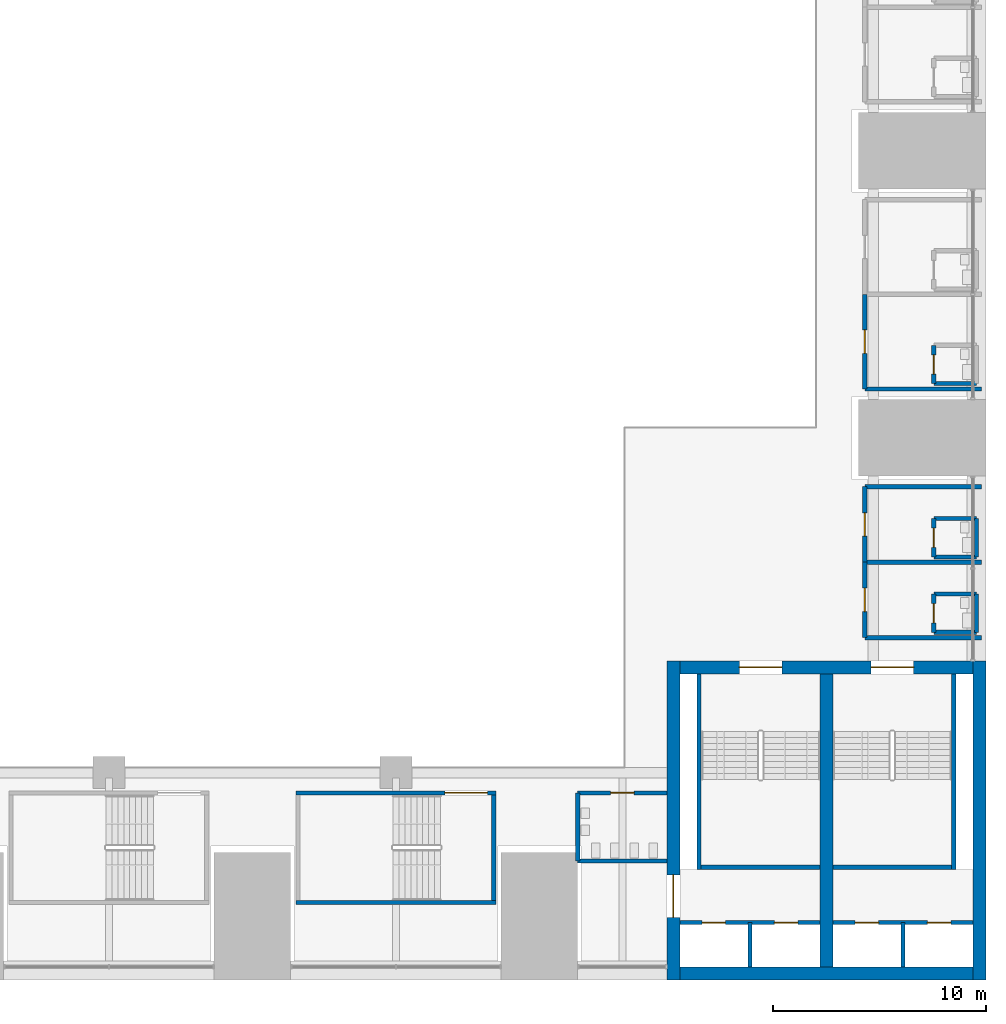
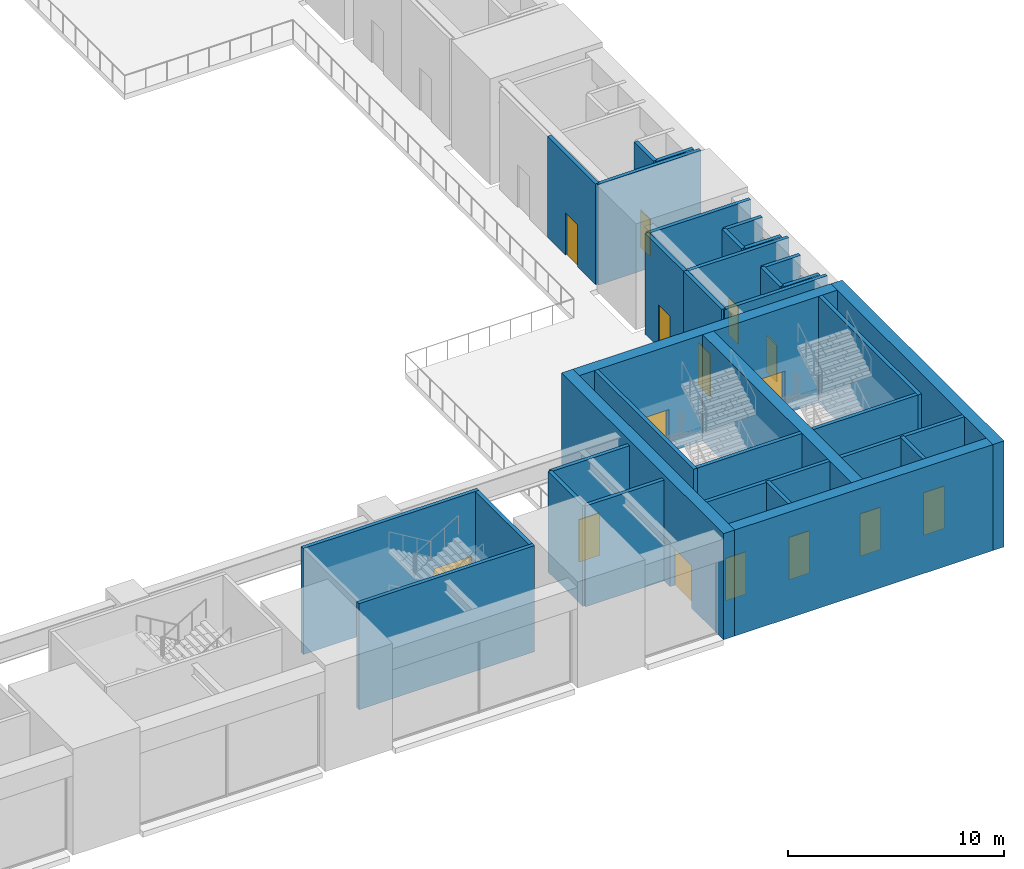
# One storey, part 16 of 43: 36 walls, 15 doors, 15 openings.
"""IFC4 building model written with IfcOpenShell, lengths in metres."""

from ifc_helpers import new_model, si_unit, direction, frame, frame_2d, origin, place, context, subcontext, project, spatial, rectangle, extrude, material, layer, layer_set, type_object, element, fill, save


model = new_model("IFC4")

# Units and contexts
model_context = context("Model", 3, precision=1e-05, world=origin(), true_north=direction((0.0, 1.0)))
body_context = subcontext(model_context, "Body", "Model", "MODEL_VIEW")
ifc_project = project(units=[si_unit("LENGTHUNIT", "METRE"), si_unit("AREAUNIT", "SQUARE_METRE"), si_unit("VOLUMEUNIT", "CUBIC_METRE"), si_unit("PLANEANGLEUNIT", "RADIAN"), si_unit("MASSUNIT", "GRAM", prefix="KILO")], contexts=[model_context])

# Site, building, storey
site_placement = place(None, origin())
site = spatial("IfcSite", under=ifc_project, at=site_placement, CompositionType="ELEMENT")
building_placement = place(site_placement, origin())
building = spatial("IfcBuilding", under=site, at=building_placement, Name="Corbelhall Arena Tower", CompositionType="ELEMENT")
storey_placement = place(building_placement, frame((0.0, 0.0, 25.0)))
storey = spatial("IfcBuildingStorey", under=building, at=storey_placement, Name="L03", CompositionType="ELEMENT", Elevation=25.0)

# Wall, opening, door
ifc_material_1 = material(Name="Gypsum board on steel studs", Category="steel")
ifc_layer_1 = layer(ifc_material_1, 0.199951171875)
ifc_layer_set_1 = layer_set([ifc_layer_1], Name="AR-ROOM-WALL")
wall_type_1 = type_object("IfcWallType", Name="AR-ROOM-WALL", PredefinedType="PARTITIONING", material=ifc_layer_set_1)
wall_1_placement = place(storey_placement, frame((42.300048828125, -11.199951171875, 0.0), z_axis=(0.0, 0.0, 1.0), x_axis=(0.0, 1.0, 0.0)))
wall_1 = element("IfcWall", 1, at=wall_1_placement, inside=storey, type_object=wall_type_1, Name="Suite seating 0303 wall", PredefinedType="PARTITIONING", context=body_context, shape_type="SweptSolid", body=[
    extrude(rectangle(XDim=4.449951171875, YDim=0.199951171875, at=frame_2d((2.22509765625, 0.0))), origin(), (0.0, 0.0, 1.0), 5.699951171875),
])
opening_1_placement = place(wall_1_placement, frame((1.675048828125, 0.0, 0.0)))
opening_1 = element("IfcOpeningElement", 2, at=opening_1_placement, cuts=wall_1, Name="Opening DA0387", PredefinedType="OPENING", context=body_context, shape_type="SweptSolid", body=[
    extrude(rectangle(XDim=1.10009765625, YDim=2.39990234375, at=frame_2d((0.550048828125, 1.199951171875))), frame((0.0, 0.10009765625, 0.0), z_axis=(0.0, -1.0, 0.0), x_axis=(1.0, 0.0, 0.0)), (0.0, 0.0, 1.0), 0.199951171875),
])
ifc_material_2 = material(Name="Timber", Category="wood")
door_type_1 = type_object("IfcDoorType", Name="AR-ROOM-DOOR", OperationType="DOUBLE_DOOR_SINGLE_SWING", PredefinedType="DOOR", material=ifc_material_2)
door_1_placement = place(opening_1_placement, origin())
door_1 = element("IfcDoor", 3, at=door_1_placement, inside=storey, type_object=door_type_1, Name="Suite seating 0303 door", OperationType="DOUBLE_DOOR_SINGLE_SWING", OverallHeight=2.39990234375, OverallWidth=1.10009765625, PredefinedType="DOOR", context=body_context, shape_type="SweptSolid", body=[
    extrude(rectangle(XDim=1.10009765625, YDim=2.39990234375, at=frame_2d((0.550048828125, 1.199951171875))), frame((0.0, 0.02490234375, 0.0), z_axis=(0.0, -1.0, 0.0), x_axis=(1.0, 0.0, 0.0)), (0.0, 0.0, 1.0), 0.050048828125),
])
fill(opening_1, door_1)

# Walls
wall_2_placement = place(storey_placement, frame((42.300048828125, -11.199951171875, 0.0), z_axis=(0.0, 0.0, 1.0), x_axis=(1.0, 0.0, 0.0)))
element("IfcWall", 4, at=wall_2_placement, inside=storey, type_object=wall_type_1, Name="Suite seating 0303 end wall", PredefinedType="PARTITIONING", context=body_context, shape_type="SweptSolid", body=[
    extrude(rectangle(XDim=5.5, YDim=0.199951171875, at=frame_2d((2.75, 0.0))), origin(), (0.0, 0.0, 1.0), 5.699951171875),
])
wall_3_placement = place(storey_placement, frame((45.550048828125, -10.949951171875, 0.0), z_axis=(0.0, 0.0, 1.0), x_axis=(1.0, 0.0, 0.0)))
element("IfcWall", 5, at=wall_3_placement, inside=storey, type_object=wall_type_1, Name="Suite WC 0303 wall", PredefinedType="PARTITIONING", context=body_context, shape_type="SweptSolid", body=[
    extrude(rectangle(XDim=2.0, YDim=0.199951171875, at=frame_2d((1.0, 0.0))), origin(), (0.0, 0.0, 1.0), 5.699951171875),
])

# Wall, opening, door
wall_4_placement = place(storey_placement, frame((45.550048828125, -10.949951171875, 0.0), z_axis=(0.0, 0.0, 1.0), x_axis=(0.0, 1.0, 0.0)))
wall_4 = element("IfcWall", 6, at=wall_4_placement, inside=storey, type_object=wall_type_1, Name="Suite WC 0303 wall", PredefinedType="PARTITIONING", context=body_context, shape_type="SweptSolid", body=[
    extrude(rectangle(XDim=1.800048828125, YDim=0.199951171875, at=frame_2d((0.89990234375, 0.0))), origin(), (0.0, 0.0, 1.0), 5.699951171875),
])
opening_2_placement = place(wall_4_placement, frame((0.449951171875, 0.0, 0.0)))
opening_2 = element("IfcOpeningElement", 7, at=opening_2_placement, cuts=wall_4, Name="Opening DA0388", PredefinedType="OPENING", context=body_context, shape_type="SweptSolid", body=[
    extrude(rectangle(XDim=0.89990234375, YDim=2.10009765625, at=frame_2d((0.449951171875, 1.050048828125))), frame((0.0, 0.10009765625, 0.0), z_axis=(0.0, -1.0, 0.0), x_axis=(1.0, 0.0, 0.0)), (0.0, 0.0, 1.0), 0.199951171875),
])
door_type_2 = type_object("IfcDoorType", Name="AR-CELL-DOOR", OperationType="SINGLE_SWING_LEFT", PredefinedType="DOOR", material=ifc_material_2)
door_2_placement = place(opening_2_placement, origin())
door_2 = element("IfcDoor", 8, at=door_2_placement, inside=storey, type_object=door_type_2, Name="Suite WC 0303 door", OperationType="SINGLE_SWING_LEFT", OverallHeight=2.10009765625, OverallWidth=0.89990234375, PredefinedType="DOOR", context=body_context, shape_type="SweptSolid", body=[
    extrude(rectangle(XDim=0.89990234375, YDim=2.10009765625, at=frame_2d((0.449951171875, 1.050048828125))), frame((0.0, 0.02490234375, 0.0), z_axis=(0.0, -1.0, 0.0), x_axis=(1.0, 0.0, 0.0)), (0.0, 0.0, 1.0), 0.050048828125),
])
fill(opening_2, door_2)

wall_5_placement = place(storey_placement, frame((42.300048828125, -22.89990234375, 0.0), z_axis=(0.0, 0.0, 1.0), x_axis=(0.0, 1.0, 0.0)))
wall_5 = element("IfcWall", 9, at=wall_5_placement, inside=storey, type_object=wall_type_1, Name="Suite seating 0307 wall", PredefinedType="PARTITIONING", context=body_context, shape_type="SweptSolid", body=[
    extrude(rectangle(XDim=3.5498046875, YDim=0.199951171875, at=frame_2d((1.77490234375, 0.0))), origin(), (0.0, 0.0, 1.0), 5.699951171875),
])
opening_3_placement = place(wall_5_placement, frame((1.22509765625, 0.0, 0.0)))
opening_3 = element("IfcOpeningElement", 10, at=opening_3_placement, cuts=wall_5, Name="Opening DA0395", PredefinedType="OPENING", context=body_context, shape_type="SweptSolid", body=[
    extrude(rectangle(XDim=1.10009765625, YDim=2.39990234375, at=frame_2d((0.550048828125, 1.199951171875))), frame((0.0, 0.10009765625, 0.0), z_axis=(0.0, -1.0, 0.0), x_axis=(1.0, 0.0, 0.0)), (0.0, 0.0, 1.0), 0.199951171875),
])
door_3_placement = place(opening_3_placement, origin())
door_3 = element("IfcDoor", 11, at=door_3_placement, inside=storey, type_object=door_type_1, Name="Suite seating 0307 door", OperationType="DOUBLE_DOOR_SINGLE_SWING", OverallHeight=2.39990234375, OverallWidth=1.10009765625, PredefinedType="DOOR", context=body_context, shape_type="SweptSolid", body=[
    extrude(rectangle(XDim=1.10009765625, YDim=2.39990234375, at=frame_2d((0.550048828125, 1.199951171875))), frame((0.0, 0.02490234375, 0.0), z_axis=(0.0, -1.0, 0.0), x_axis=(1.0, 0.0, 0.0)), (0.0, 0.0, 1.0), 0.050048828125),
])
fill(opening_3, door_3)

# Walls
for number, where, z_axis, x_axis, name in (
    (12, (42.300048828125, -22.89990234375, 0.0), (0.0, 0.0, 1.0), (1.0, 0.0, 0.0), "Suite seating 0307 end wall"),
    (13, (42.300048828125, -19.35009765625, 0.0), (0.0, 0.0, 1.0), (1.0, 0.0, 0.0), "Suite seating 0307 partition"),
):
    element("IfcWall", number, at=place(storey_placement, frame(where, z_axis=z_axis, x_axis=x_axis)), inside=storey, type_object=wall_type_1, Name=name, PredefinedType="PARTITIONING", context=body_context, shape_type="SweptSolid", body=[
        extrude(rectangle(XDim=5.5, YDim=0.199951171875, at=frame_2d((2.75, 0.0))), origin(), (0.0, 0.0, 1.0), 5.699951171875),
    ])
for number, where, z_axis, x_axis, name in (
    (14, (45.550048828125, -22.64990234375, 0.0), (0.0, 0.0, 1.0), (1.0, 0.0, 0.0), "Suite WC 0307 wall"),
    (15, (47.550048828125, -20.85009765625, 0.0), (0.0, 0.0, 1.0), (-1.0, 0.0, 0.0), "Suite WC 0307 wall"),
):
    element("IfcWall", number, at=place(storey_placement, frame(where, z_axis=z_axis, x_axis=x_axis)), inside=storey, type_object=wall_type_1, Name=name, PredefinedType="PARTITIONING", context=body_context, shape_type="SweptSolid", body=[
        extrude(rectangle(XDim=2.0, YDim=0.199951171875, at=frame_2d((1.0, 0.0))), origin(), (0.0, 0.0, 1.0), 5.699951171875),
    ])

# Wall, opening, door
wall_6_placement = place(storey_placement, frame((45.550048828125, -22.64990234375, 0.0), z_axis=(0.0, 0.0, 1.0), x_axis=(0.0, 1.0, 0.0)))
wall_6 = element("IfcWall", 16, at=wall_6_placement, inside=storey, type_object=wall_type_1, Name="Suite WC 0307 wall", PredefinedType="PARTITIONING", context=body_context, shape_type="SweptSolid", body=[
    extrude(rectangle(XDim=1.7998046875, YDim=0.199951171875, at=frame_2d((0.89990234375, 0.0))), origin(), (0.0, 0.0, 1.0), 5.699951171875),
])
opening_4_placement = place(wall_6_placement, frame((0.449951171875, 0.0, 0.0)))
opening_4 = element("IfcOpeningElement", 17, at=opening_4_placement, cuts=wall_6, Name="Opening DA0396", PredefinedType="OPENING", context=body_context, shape_type="SweptSolid", body=[
    extrude(rectangle(XDim=0.89990234375, YDim=2.10009765625, at=frame_2d((0.449951171875, 1.050048828125))), frame((0.0, 0.10009765625, 0.0), z_axis=(0.0, -1.0, 0.0), x_axis=(1.0, 0.0, 0.0)), (0.0, 0.0, 1.0), 0.199951171875),
])
door_4_placement = place(opening_4_placement, origin())
door_4 = element("IfcDoor", 18, at=door_4_placement, inside=storey, type_object=door_type_2, Name="Suite WC 0307 door", OperationType="SINGLE_SWING_LEFT", OverallHeight=2.10009765625, OverallWidth=0.89990234375, PredefinedType="DOOR", context=body_context, shape_type="SweptSolid", body=[
    extrude(rectangle(XDim=0.89990234375, YDim=2.10009765625, at=frame_2d((0.449951171875, 1.050048828125))), frame((0.0, 0.02490234375, 0.0), z_axis=(0.0, -1.0, 0.0), x_axis=(1.0, 0.0, 0.0)), (0.0, 0.0, 1.0), 0.050048828125),
])
fill(opening_4, door_4)

wall_7_placement = place(storey_placement, frame((42.300048828125, -19.35009765625, 0.0), z_axis=(0.0, 0.0, 1.0), x_axis=(0.0, 1.0, 0.0)))
wall_7 = element("IfcWall", 19, at=wall_7_placement, inside=storey, type_object=wall_type_1, Name="Suite seating 0308 wall", PredefinedType="PARTITIONING", context=body_context, shape_type="SweptSolid", body=[
    extrude(rectangle(XDim=3.550048828125, YDim=0.199951171875, at=frame_2d((1.77490234375, 0.0))), origin(), (0.0, 0.0, 1.0), 5.699951171875),
])
opening_5_placement = place(wall_7_placement, frame((1.22509765625, 0.0, 0.0)))
opening_5 = element("IfcOpeningElement", 20, at=opening_5_placement, cuts=wall_7, Name="Opening DA0397", PredefinedType="OPENING", context=body_context, shape_type="SweptSolid", body=[
    extrude(rectangle(XDim=1.10009765625, YDim=2.39990234375, at=frame_2d((0.550048828125, 1.199951171875))), frame((0.0, 0.10009765625, 0.0), z_axis=(0.0, -1.0, 0.0), x_axis=(1.0, 0.0, 0.0)), (0.0, 0.0, 1.0), 0.199951171875),
])
door_5_placement = place(opening_5_placement, origin())
door_5 = element("IfcDoor", 21, at=door_5_placement, inside=storey, type_object=door_type_1, Name="Suite seating 0308 door", OperationType="DOUBLE_DOOR_SINGLE_SWING", OverallHeight=2.39990234375, OverallWidth=1.10009765625, PredefinedType="DOOR", context=body_context, shape_type="SweptSolid", body=[
    extrude(rectangle(XDim=1.10009765625, YDim=2.39990234375, at=frame_2d((0.550048828125, 1.199951171875))), frame((0.0, 0.02490234375, 0.0), z_axis=(0.0, -1.0, 0.0), x_axis=(1.0, 0.0, 0.0)), (0.0, 0.0, 1.0), 0.050048828125),
])
fill(opening_5, door_5)

# Walls
wall_8_placement = place(storey_placement, frame((42.300048828125, -15.800048828125, 0.0), z_axis=(0.0, 0.0, 1.0), x_axis=(1.0, 0.0, 0.0)))
element("IfcWall", 22, at=wall_8_placement, inside=storey, type_object=wall_type_1, Name="Suite seating 0308 end wall", PredefinedType="PARTITIONING", context=body_context, shape_type="SweptSolid", body=[
    extrude(rectangle(XDim=5.5, YDim=0.199951171875, at=frame_2d((2.75, 0.0))), origin(), (0.0, 0.0, 1.0), 5.699951171875),
])
for number, where, z_axis, x_axis, name in (
    (23, (45.550048828125, -19.10009765625, 0.0), (0.0, 0.0, 1.0), (1.0, 0.0, 0.0), "Suite WC 0308 wall"),
    (24, (47.550048828125, -17.300048828125, 0.0), (0.0, 0.0, 1.0), (-1.0, 0.0, 0.0), "Suite WC 0308 wall"),
):
    element("IfcWall", number, at=place(storey_placement, frame(where, z_axis=z_axis, x_axis=x_axis)), inside=storey, type_object=wall_type_1, Name=name, PredefinedType="PARTITIONING", context=body_context, shape_type="SweptSolid", body=[
        extrude(rectangle(XDim=2.0, YDim=0.199951171875, at=frame_2d((1.0, 0.0))), origin(), (0.0, 0.0, 1.0), 5.699951171875),
    ])

# Wall, opening, door
wall_9_placement = place(storey_placement, frame((45.550048828125, -19.10009765625, 0.0), z_axis=(0.0, 0.0, 1.0), x_axis=(0.0, 1.0, 0.0)))
wall_9 = element("IfcWall", 25, at=wall_9_placement, inside=storey, type_object=wall_type_1, Name="Suite WC 0308 wall", PredefinedType="PARTITIONING", context=body_context, shape_type="SweptSolid", body=[
    extrude(rectangle(XDim=1.800048828125, YDim=0.199951171875, at=frame_2d((0.89990234375, 0.0))), origin(), (0.0, 0.0, 1.0), 5.699951171875),
])
opening_6_placement = place(wall_9_placement, frame((0.449951171875, 0.0, 0.0)))
opening_6 = element("IfcOpeningElement", 26, at=opening_6_placement, cuts=wall_9, Name="Opening DA0398", PredefinedType="OPENING", context=body_context, shape_type="SweptSolid", body=[
    extrude(rectangle(XDim=0.89990234375, YDim=2.10009765625, at=frame_2d((0.449951171875, 1.050048828125))), frame((0.0, 0.10009765625, 0.0), z_axis=(0.0, -1.0, 0.0), x_axis=(1.0, 0.0, 0.0)), (0.0, 0.0, 1.0), 0.199951171875),
])
door_6_placement = place(opening_6_placement, origin())
door_6 = element("IfcDoor", 27, at=door_6_placement, inside=storey, type_object=door_type_2, Name="Suite WC 0308 door", OperationType="SINGLE_SWING_LEFT", OverallHeight=2.10009765625, OverallWidth=0.89990234375, PredefinedType="DOOR", context=body_context, shape_type="SweptSolid", body=[
    extrude(rectangle(XDim=0.89990234375, YDim=2.10009765625, at=frame_2d((0.449951171875, 1.050048828125))), frame((0.0, 0.02490234375, 0.0), z_axis=(0.0, -1.0, 0.0), x_axis=(1.0, 0.0, 0.0)), (0.0, 0.0, 1.0), 0.050048828125),
])
fill(opening_6, door_6)

wall_10_placement = place(storey_placement, frame((28.800048828125, -30.199951171875, 0.0), z_axis=(0.0, 0.0, 1.0), x_axis=(1.0, 0.0, 0.0)))
wall_10 = element("IfcWall", 28, at=wall_10_placement, inside=storey, type_object=wall_type_1, Name="Women's WC 3 wall", PredefinedType="PARTITIONING", context=body_context, shape_type="SweptSolid", body=[
    extrude(rectangle(XDim=4.199951171875, YDim=0.199951171875, at=frame_2d((2.10009765625, 0.0))), origin(), (0.0, 0.0, 1.0), 5.699951171875),
])
opening_7_placement = place(wall_10_placement, frame((1.550048828125, 0.0, 0.0)))
opening_7 = element("IfcOpeningElement", 29, at=opening_7_placement, cuts=wall_10, Name="Opening DA0417", PredefinedType="OPENING", context=body_context, shape_type="SweptSolid", body=[
    extrude(rectangle(XDim=1.10009765625, YDim=2.39990234375, at=frame_2d((0.550048828125, 1.199951171875))), frame((0.0, 0.10009765625, 0.0), z_axis=(0.0, -1.0, 0.0), x_axis=(1.0, 0.0, 0.0)), (0.0, 0.0, 1.0), 0.199951171875),
])
door_7_placement = place(opening_7_placement, origin())
door_7 = element("IfcDoor", 30, at=door_7_placement, inside=storey, type_object=door_type_1, Name="Women's WC 3 door", OperationType="DOUBLE_DOOR_SINGLE_SWING", OverallHeight=2.39990234375, OverallWidth=1.10009765625, PredefinedType="DOOR", context=body_context, shape_type="SweptSolid", body=[
    extrude(rectangle(XDim=1.10009765625, YDim=2.39990234375, at=frame_2d((0.550048828125, 1.199951171875))), frame((0.0, 0.02490234375, 0.0), z_axis=(0.0, -1.0, 0.0), x_axis=(1.0, 0.0, 0.0)), (0.0, 0.0, 1.0), 0.050048828125),
])
fill(opening_7, door_7)

# Walls
wall_11_placement = place(storey_placement, frame((28.800048828125, -33.39990234375, 0.0), z_axis=(0.0, 0.0, 1.0), x_axis=(0.0, 1.0, 0.0)))
element("IfcWall", 31, at=wall_11_placement, inside=storey, type_object=wall_type_1, Name="Women's WC 3 side wall", PredefinedType="PARTITIONING", context=body_context, shape_type="SweptSolid", body=[
    extrude(rectangle(XDim=3.199951171875, YDim=0.199951171875, at=frame_2d((1.60009765625, 0.0))), origin(), (0.0, 0.0, 1.0), 5.699951171875),
])
wall_12_placement = place(storey_placement, frame((28.800048828125, -33.39990234375, 0.0), z_axis=(0.0, 0.0, 1.0), x_axis=(1.0, 0.0, 0.0)))
element("IfcWall", 32, at=wall_12_placement, inside=storey, type_object=wall_type_1, Name="Women's WC 3 far wall", PredefinedType="PARTITIONING", context=body_context, shape_type="SweptSolid", body=[
    extrude(rectangle(XDim=4.199951171875, YDim=0.199951171875, at=frame_2d((2.10009765625, 0.0))), origin(), (0.0, 0.0, 1.0), 5.699951171875),
])
ifc_layer_2 = layer(ifc_material_1, 0.199951171875)
ifc_layer_set_2 = layer_set([ifc_layer_2], Name="AR-ROOM-WALL under beam 1200 mm")
wall_type_2 = type_object("IfcWallType", Name="AR-ROOM-WALL under beam 1200 mm", PredefinedType="PARTITIONING", material=ifc_layer_set_2)
wall_13_placement = place(storey_placement, frame((47.550048828125, -22.64990234375, 0.0), z_axis=(0.0, 0.0, 1.0), x_axis=(0.0, 1.0, 0.0)))
element("IfcWall", 33, at=wall_13_placement, inside=storey, type_object=wall_type_2, Name="Suite WC 0307 wall", PredefinedType="PARTITIONING", context=body_context, shape_type="SweptSolid", body=[
    extrude(rectangle(XDim=1.7998046875, YDim=0.199951171875, at=frame_2d((0.89990234375, 0.0))), origin(), (0.0, 0.0, 1.0), 4.5),
])
wall_14_placement = place(storey_placement, frame((47.550048828125, -19.10009765625, 0.0), z_axis=(0.0, 0.0, 1.0), x_axis=(0.0, 1.0, 0.0)))
element("IfcWall", 34, at=wall_14_placement, inside=storey, type_object=wall_type_2, Name="Suite WC 0308 wall", PredefinedType="PARTITIONING", context=body_context, shape_type="SweptSolid", body=[
    extrude(rectangle(XDim=1.800048828125, YDim=0.199951171875, at=frame_2d((0.89990234375, 0.0))), origin(), (0.0, 0.0, 1.0), 4.5),
])

# Wall, openings, doors
ifc_material_3 = material(Name="Reinforced concrete C40/50", Category="concrete")
ifc_layer_3 = layer(ifc_material_3, 0.199951171875)
ifc_layer_set_3 = layer_set([ifc_layer_3], Name="AR-SHAFT-WALL")
wall_type_3 = type_object("IfcWallType", Name="AR-SHAFT-WALL", PredefinedType="SHEAR", material=ifc_layer_set_3)
wall_15_placement = place(storey_placement, frame((33.60009765625, -36.300048828125, 0.0), z_axis=(0.0, 0.0, 1.0), x_axis=(1.0, 0.0, 0.0)))
wall_15 = element("IfcWall", 35, at=wall_15_placement, inside=storey, type_object=wall_type_3, Name="Lift lobby wall SE", PredefinedType="SHEAR", context=body_context, shape_type="SweptSolid", body=[
    extrude(rectangle(XDim=6.599853515625, YDim=0.199951171875, at=frame_2d((3.2998046875, 0.0))), origin(), (0.0, 0.0, 1.0), 6.0),
])
opening_8_placement = place(wall_15_placement, frame((1.050048828125, 0.0, 0.0)))
opening_8 = element("IfcOpeningElement", 36, at=opening_8_placement, cuts=wall_15, Name="Opening LD0220", PredefinedType="OPENING", context=body_context, shape_type="SweptSolid", body=[
    extrude(rectangle(XDim=1.10009765625, YDim=2.39990234375, at=frame_2d((0.550048828125, 1.199951171875))), frame((0.0, 0.10009765625, 0.0), z_axis=(0.0, -1.0, 0.0), x_axis=(1.0, 0.0, 0.0)), (0.0, 0.0, 1.0), 0.199951171875),
])
opening_9_placement = place(wall_15_placement, frame((4.449951171875, 0.0, 0.0)))
opening_9 = element("IfcOpeningElement", 37, at=opening_9_placement, cuts=wall_15, Name="Opening LD0221", PredefinedType="OPENING", context=body_context, shape_type="SweptSolid", body=[
    extrude(rectangle(XDim=1.10009765625, YDim=2.39990234375, at=frame_2d((0.550048828125, 1.199951171875))), frame((0.0, 0.10009765625, 0.0), z_axis=(0.0, -1.0, 0.0), x_axis=(1.0, 0.0, 0.0)), (0.0, 0.0, 1.0), 0.199951171875),
])
ifc_material_4 = material(Name="Stainless steel A4", Category="steel")
door_type_3 = type_object("IfcDoorType", Name="AR-LANDING-DOOR", OperationType="DOUBLE_DOOR_SLIDING", PredefinedType="DOOR", material=ifc_material_4)
door_8_placement = place(opening_8_placement, frame((1.10009765625, 0.0, 0.0), z_axis=(0.0, 0.0, 1.0), x_axis=(-1.0, 0.0, 0.0)))
door_8 = element("IfcDoor", 38, at=door_8_placement, inside=storey, type_object=door_type_3, Name="Landing door SE LF1 L03", OperationType="DOUBLE_DOOR_SLIDING", OverallHeight=2.39990234375, OverallWidth=1.10009765625, PredefinedType="DOOR", context=body_context, shape_type="SweptSolid", body=[
    extrude(rectangle(XDim=1.10009765625, YDim=2.39990234375, at=frame_2d((0.550048828125, 1.199951171875))), frame((0.0, 0.02490234375, 0.0), z_axis=(0.0, -1.0, 0.0), x_axis=(1.0, 0.0, 0.0)), (0.0, 0.0, 1.0), 0.050048828125),
])
fill(opening_8, door_8)
door_9_placement = place(opening_9_placement, frame((1.10009765625, 0.0, 0.0), z_axis=(0.0, 0.0, 1.0), x_axis=(-1.0, 0.0, 0.0)))
door_9 = element("IfcDoor", 39, at=door_9_placement, inside=storey, type_object=door_type_3, Name="Landing door SE LF2 L03", OperationType="DOUBLE_DOOR_SLIDING", OverallHeight=2.39990234375, OverallWidth=1.10009765625, PredefinedType="DOOR", context=body_context, shape_type="SweptSolid", body=[
    extrude(rectangle(XDim=1.10009765625, YDim=2.39990234375, at=frame_2d((0.550048828125, 1.199951171875))), frame((0.0, 0.02490234375, 0.0), z_axis=(0.0, -1.0, 0.0), x_axis=(1.0, 0.0, 0.0)), (0.0, 0.0, 1.0), 0.050048828125),
])
fill(opening_9, door_9)

wall_16_placement = place(storey_placement, frame((40.800048828125, -36.300048828125, 0.0), z_axis=(0.0, 0.0, 1.0), x_axis=(1.0, 0.0, 0.0)))
wall_16 = element("IfcWall", 40, at=wall_16_placement, inside=storey, type_object=wall_type_3, Name="Lift lobby wall SE", PredefinedType="SHEAR", context=body_context, shape_type="SweptSolid", body=[
    extrude(rectangle(XDim=6.599853515625, YDim=0.199951171875, at=frame_2d((3.2998046875, 0.0))), origin(), (0.0, 0.0, 1.0), 6.0),
])
opening_10_placement = place(wall_16_placement, frame((1.050048828125, 0.0, 0.0)))
opening_10 = element("IfcOpeningElement", 41, at=opening_10_placement, cuts=wall_16, Name="Opening LD0222", PredefinedType="OPENING", context=body_context, shape_type="SweptSolid", body=[
    extrude(rectangle(XDim=1.10009765625, YDim=2.39990234375, at=frame_2d((0.550048828125, 1.199951171875))), frame((0.0, 0.10009765625, 0.0), z_axis=(0.0, -1.0, 0.0), x_axis=(1.0, 0.0, 0.0)), (0.0, 0.0, 1.0), 0.199951171875),
])
opening_11_placement = place(wall_16_placement, frame((4.449951171875, 0.0, 0.0)))
opening_11 = element("IfcOpeningElement", 42, at=opening_11_placement, cuts=wall_16, Name="Opening LD0223", PredefinedType="OPENING", context=body_context, shape_type="SweptSolid", body=[
    extrude(rectangle(XDim=1.10009765625, YDim=2.39990234375, at=frame_2d((0.550048828125, 1.199951171875))), frame((0.0, 0.10009765625, 0.0), z_axis=(0.0, -1.0, 0.0), x_axis=(1.0, 0.0, 0.0)), (0.0, 0.0, 1.0), 0.199951171875),
])
door_10_placement = place(opening_10_placement, frame((1.10009765625, 0.0, 0.0), z_axis=(0.0, 0.0, 1.0), x_axis=(-1.0, 0.0, 0.0)))
door_10 = element("IfcDoor", 43, at=door_10_placement, inside=storey, type_object=door_type_3, Name="Landing door SE LF3 L03", OperationType="DOUBLE_DOOR_SLIDING", OverallHeight=2.39990234375, OverallWidth=1.10009765625, PredefinedType="DOOR", context=body_context, shape_type="SweptSolid", body=[
    extrude(rectangle(XDim=1.10009765625, YDim=2.39990234375, at=frame_2d((0.550048828125, 1.199951171875))), frame((0.0, 0.02490234375, 0.0), z_axis=(0.0, -1.0, 0.0), x_axis=(1.0, 0.0, 0.0)), (0.0, 0.0, 1.0), 0.050048828125),
])
fill(opening_10, door_10)
door_11_placement = place(opening_11_placement, frame((1.10009765625, 0.0, 0.0), z_axis=(0.0, 0.0, 1.0), x_axis=(-1.0, 0.0, 0.0)))
door_11 = element("IfcDoor", 44, at=door_11_placement, inside=storey, type_object=door_type_3, Name="Landing door SE LF4 L03", OperationType="DOUBLE_DOOR_SLIDING", OverallHeight=2.39990234375, OverallWidth=1.10009765625, PredefinedType="DOOR", context=body_context, shape_type="SweptSolid", body=[
    extrude(rectangle(XDim=1.10009765625, YDim=2.39990234375, at=frame_2d((0.550048828125, 1.199951171875))), frame((0.0, 0.02490234375, 0.0), z_axis=(0.0, -1.0, 0.0), x_axis=(1.0, 0.0, 0.0)), (0.0, 0.0, 1.0), 0.050048828125),
])
fill(opening_11, door_11)

# Walls
for number, where, z_axis, x_axis, name in (
    (45, (36.89990234375, -38.39990234375, 0.0), (0.0, 0.0, 1.0), (0.0, 1.0, 0.0), "Shaft wall SE"),
    (46, (44.10009765625, -38.39990234375, 0.0), (0.0, 0.0, 1.0), (0.0, 1.0, 0.0), "Shaft wall SE"),
):
    element("IfcWall", number, at=place(storey_placement, frame(where, z_axis=z_axis, x_axis=x_axis)), inside=storey, type_object=wall_type_3, Name=name, PredefinedType="SHEAR", context=body_context, shape_type="SweptSolid", body=[
        extrude(rectangle(XDim=2.099853515625, YDim=0.199951171875, at=frame_2d((1.0498046875, 0.0))), origin(), (0.0, 0.0, 1.0), 6.0),
    ])

# Wall, opening, door
ifc_layer_4 = layer(ifc_material_3, 0.199951171875)
ifc_layer_set_4 = layer_set([ifc_layer_4], Name="AR-STAIR-WALL")
wall_type_4 = type_object("IfcWallType", Name="AR-STAIR-WALL", PredefinedType="SOLIDWALL", material=ifc_layer_set_4)
wall_17_placement = place(storey_placement, frame((24.949951171875, -30.199951171875, 0.0), z_axis=(0.0, 0.0, 1.0), x_axis=(-1.0, 0.0, 0.0)))
wall_17 = element("IfcWall", 47, at=wall_17_placement, inside=storey, type_object=wall_type_4, Name="Stair AS16 wall", PredefinedType="SOLIDWALL", context=body_context, shape_type="SweptSolid", body=[
    extrude(rectangle(XDim=9.39990234375, YDim=0.199951171875, at=frame_2d((4.699951171875, 0.0))), origin(), (0.0, 0.0, 1.0), 6.0),
])
opening_12_placement = place(wall_17_placement, frame((0.39990234375, 0.0, 0.0)))
opening_12 = element("IfcOpeningElement", 48, at=opening_12_placement, cuts=wall_17, Name="Opening DA0046", PredefinedType="OPENING", context=body_context, shape_type="SweptSolid", body=[
    extrude(rectangle(XDim=2.0, YDim=2.39990234375, at=frame_2d((1.0, 1.199951171875))), frame((0.0, 0.10009765625, 0.0), z_axis=(0.0, -1.0, 0.0), x_axis=(1.0, 0.0, 0.0)), (0.0, 0.0, 1.0), 0.199951171875),
])
ifc_material_5 = material(Name="Steel and glass", Category="steel")
door_type_4 = type_object("IfcDoorType", Name="AR-STAIR-DOOR", OperationType="DOUBLE_DOOR_SINGLE_SWING", PredefinedType="DOOR", material=ifc_material_5)
door_12_placement = place(opening_12_placement, origin())
door_12 = element("IfcDoor", 49, at=door_12_placement, inside=storey, type_object=door_type_4, Name="Stair AS16 door", OperationType="DOUBLE_DOOR_SINGLE_SWING", OverallHeight=2.39990234375, OverallWidth=2.0, PredefinedType="DOOR", context=body_context, shape_type="SweptSolid", body=[
    extrude(rectangle(XDim=2.0, YDim=2.39990234375, at=frame_2d((1.0, 1.199951171875))), frame((0.0, 0.02490234375, 0.0), z_axis=(0.0, -1.0, 0.0), x_axis=(1.0, 0.0, 0.0)), (0.0, 0.0, 1.0), 0.050048828125),
])
fill(opening_12, door_12)

# Walls
wall_18_placement = place(storey_placement, frame((15.550048828125, -35.35009765625, 0.0), z_axis=(0.0, 0.0, 1.0), x_axis=(1.0, 0.0, 0.0)))
element("IfcWall", 50, at=wall_18_placement, inside=storey, type_object=wall_type_4, Name="Stair AS16 wall", PredefinedType="SOLIDWALL", context=body_context, shape_type="SweptSolid", body=[
    extrude(rectangle(XDim=9.39990234375, YDim=0.199951171875, at=frame_2d((4.699951171875, 0.0))), origin(), (0.0, 0.0, 1.0), 6.0),
])
wall_19_placement = place(storey_placement, frame((24.85009765625, -35.25, 0.0), z_axis=(0.0, 0.0, 1.0), x_axis=(0.0, 1.0, 0.0)))
element("IfcWall", 51, at=wall_19_placement, inside=storey, type_object=wall_type_4, Name="Stair AS16 wall", PredefinedType="SOLIDWALL", context=body_context, shape_type="SweptSolid", body=[
    extrude(rectangle(XDim=4.949951171875, YDim=0.199951171875, at=frame_2d((2.47509765625, 0.0))), origin(), (0.0, 0.0, 1.0), 6.0),
])
wall_20_placement = place(storey_placement, frame((34.510009765625, -33.800048828125, 0.0), z_axis=(0.0, 0.0, 1.0), x_axis=(0.0, 1.0, 0.0)))
element("IfcWall", 52, at=wall_20_placement, inside=storey, type_object=wall_type_4, Name="Stair AS5 wall", PredefinedType="SOLIDWALL", context=body_context, shape_type="SweptSolid", body=[
    extrude(rectangle(XDim=9.199951171875, YDim=0.199951171875, at=frame_2d((4.60009765625, 0.0))), origin(), (0.0, 0.0, 1.0), 6.0),
])
wall_21_placement = place(storey_placement, frame((34.610107421875, -33.699951171875, 0.0), z_axis=(0.0, 0.0, 1.0), x_axis=(1.0, 0.0, 0.0)))
element("IfcWall", 53, at=wall_21_placement, inside=storey, type_object=wall_type_4, Name="Stair AS5 wall", PredefinedType="SOLIDWALL", context=body_context, shape_type="SweptSolid", body=[
    extrude(rectangle(XDim=5.58984375, YDim=0.199951171875, at=frame_2d((2.794921875, 0.0))), origin(), (0.0, 0.0, 1.0), 6.0),
])
wall_22_placement = place(storey_placement, frame((46.489990234375, -33.800048828125, 0.0), z_axis=(0.0, 0.0, 1.0), x_axis=(0.0, 1.0, 0.0)))
element("IfcWall", 54, at=wall_22_placement, inside=storey, type_object=wall_type_4, Name="Stair AS6 wall", PredefinedType="SOLIDWALL", context=body_context, shape_type="SweptSolid", body=[
    extrude(rectangle(XDim=9.199951171875, YDim=0.199951171875, at=frame_2d((4.60009765625, 0.0))), origin(), (0.0, 0.0, 1.0), 6.0),
])
wall_23_placement = place(storey_placement, frame((40.800048828125, -33.699951171875, 0.0), z_axis=(0.0, 0.0, 1.0), x_axis=(1.0, 0.0, 0.0)))
element("IfcWall", 55, at=wall_23_placement, inside=storey, type_object=wall_type_4, Name="Stair AS6 wall", PredefinedType="SOLIDWALL", context=body_context, shape_type="SweptSolid", body=[
    extrude(rectangle(XDim=5.58984375, YDim=0.199951171875, at=frame_2d((2.794921875, 0.0))), origin(), (0.0, 0.0, 1.0), 6.0),
])

# Wall, openings, doors
ifc_material_6 = material(Name="Concrete C80/95", Category="concrete")
ifc_layer_5 = layer(ifc_material_6, 0.60009765625)
ifc_layer_set_5 = layer_set([ifc_layer_5], Name="PO-CORE-WALL")
wall_type_5 = type_object("IfcWallType", Name="PO-CORE-WALL", PredefinedType="SHEAR", material=ifc_layer_set_5)
wall_24_placement = place(storey_placement, frame((33.60009765625, -24.300048828125, 0.0), z_axis=(0.0, 0.0, 1.0), x_axis=(1.0, 0.0, 0.0)))
wall_24 = element("IfcWall", 56, at=wall_24_placement, inside=storey, type_object=wall_type_5, Name="CORE SE WALL N L03", PredefinedType="SHEAR", context=body_context, shape_type="SweptSolid", body=[
    extrude(rectangle(XDim=13.7998046875, YDim=0.60009765625, at=frame_2d((6.89990234375, 0.0))), origin(), (0.0, 0.0, 1.0), 6.0),
])
opening_13_placement = place(wall_24_placement, frame((2.804931640625, 0.0, 0.0)))
opening_13 = element("IfcOpeningElement", 57, at=opening_13_placement, cuts=wall_24, Name="Opening DA0088", PredefinedType="OPENING", context=body_context, shape_type="SweptSolid", body=[
    extrude(rectangle(XDim=2.0, YDim=2.39990234375, at=frame_2d((1.0, 1.199951171875))), frame((0.0, 0.300048828125, 0.0), z_axis=(0.0, -1.0, 0.0), x_axis=(1.0, 0.0, 0.0)), (0.0, 0.0, 1.0), 0.60009765625),
])
opening_14_placement = place(wall_24_placement, frame((8.9951171875, 0.0, 0.0)))
opening_14 = element("IfcOpeningElement", 58, at=opening_14_placement, cuts=wall_24, Name="Opening DA0096", PredefinedType="OPENING", context=body_context, shape_type="SweptSolid", body=[
    extrude(rectangle(XDim=2.0, YDim=2.39990234375, at=frame_2d((1.0, 1.199951171875))), frame((0.0, 0.300048828125, 0.0), z_axis=(0.0, -1.0, 0.0), x_axis=(1.0, 0.0, 0.0)), (0.0, 0.0, 1.0), 0.60009765625),
])
door_13_placement = place(opening_13_placement, frame((2.0, 0.0, 0.0), z_axis=(0.0, 0.0, 1.0), x_axis=(-1.0, 0.0, 0.0)))
door_13 = element("IfcDoor", 59, at=door_13_placement, inside=storey, type_object=door_type_4, Name="Stair AS5 door", OperationType="DOUBLE_DOOR_SINGLE_SWING", OverallHeight=2.39990234375, OverallWidth=2.0, PredefinedType="DOOR", context=body_context, shape_type="SweptSolid", body=[
    extrude(rectangle(XDim=2.0, YDim=2.39990234375, at=frame_2d((1.0, 1.199951171875))), frame((0.0, 0.02490234375, 0.0), z_axis=(0.0, -1.0, 0.0), x_axis=(1.0, 0.0, 0.0)), (0.0, 0.0, 1.0), 0.050048828125),
])
fill(opening_13, door_13)
door_14_placement = place(opening_14_placement, frame((2.0, 0.0, 0.0), z_axis=(0.0, 0.0, 1.0), x_axis=(-1.0, 0.0, 0.0)))
door_14 = element("IfcDoor", 60, at=door_14_placement, inside=storey, type_object=door_type_4, Name="Stair AS6 door", OperationType="DOUBLE_DOOR_SINGLE_SWING", OverallHeight=2.39990234375, OverallWidth=2.0, PredefinedType="DOOR", context=body_context, shape_type="SweptSolid", body=[
    extrude(rectangle(XDim=2.0, YDim=2.39990234375, at=frame_2d((1.0, 1.199951171875))), frame((0.0, 0.02490234375, 0.0), z_axis=(0.0, -1.0, 0.0), x_axis=(1.0, 0.0, 0.0)), (0.0, 0.0, 1.0), 0.050048828125),
])
fill(opening_14, door_14)

# Wall
wall_25_placement = place(storey_placement, frame((33.60009765625, -38.699951171875, 0.0), z_axis=(0.0, 0.0, 1.0), x_axis=(1.0, 0.0, 0.0)))
element("IfcWall", 61, at=wall_25_placement, inside=storey, type_object=wall_type_5, Name="CORE SE WALL S L03", PredefinedType="SHEAR", context=body_context, shape_type="SweptSolid", body=[
    extrude(rectangle(XDim=13.7998046875, YDim=0.60009765625, at=frame_2d((6.89990234375, 0.0))), origin(), (0.0, 0.0, 1.0), 6.0),
])

# Wall, opening, door
wall_26_placement = place(storey_placement, frame((33.300048828125, -39.0, 0.0), z_axis=(0.0, 0.0, 1.0), x_axis=(0.0, 1.0, 0.0)))
wall_26 = element("IfcWall", 62, at=wall_26_placement, inside=storey, type_object=wall_type_5, Name="CORE SE WALL W L03", PredefinedType="SHEAR", context=body_context, shape_type="SweptSolid", body=[
    extrude(rectangle(XDim=15.0, YDim=0.60009765625, at=frame_2d((7.5, 0.0))), origin(), (0.0, 0.0, 1.0), 6.0),
])
opening_15_placement = place(wall_26_placement, frame((2.949951171875, 0.0, 0.0)))
opening_15 = element("IfcOpeningElement", 63, at=opening_15_placement, cuts=wall_26, Name="Opening DA0224", PredefinedType="OPENING", context=body_context, shape_type="SweptSolid", body=[
    extrude(rectangle(XDim=2.0, YDim=2.39990234375, at=frame_2d((1.0, 1.199951171875))), frame((0.0, 0.300048828125, 0.0), z_axis=(0.0, -1.0, 0.0), x_axis=(1.0, 0.0, 0.0)), (0.0, 0.0, 1.0), 0.60009765625),
])
door_type_5 = type_object("IfcDoorType", Name="AR-CORE-DOOR", OperationType="DOUBLE_DOOR_SINGLE_SWING", PredefinedType="DOOR", material=ifc_material_5)
door_15_placement = place(opening_15_placement, origin())
door_15 = element("IfcDoor", 64, at=door_15_placement, inside=storey, type_object=door_type_5, Name="Core lobby door SE L03", OperationType="DOUBLE_DOOR_SINGLE_SWING", OverallHeight=2.39990234375, OverallWidth=2.0, PredefinedType="DOOR", context=body_context, shape_type="SweptSolid", body=[
    extrude(rectangle(XDim=2.0, YDim=2.39990234375, at=frame_2d((1.0, 1.199951171875))), frame((0.0, 0.02490234375, 0.0), z_axis=(0.0, -1.0, 0.0), x_axis=(1.0, 0.0, 0.0)), (0.0, 0.0, 1.0), 0.050048828125),
])
fill(opening_15, door_15)

# Walls
wall_27_placement = place(storey_placement, frame((47.699951171875, -39.0, 0.0), z_axis=(0.0, 0.0, 1.0), x_axis=(0.0, 1.0, 0.0)))
element("IfcWall", 65, at=wall_27_placement, inside=storey, type_object=wall_type_5, Name="CORE SE WALL E L03", PredefinedType="SHEAR", context=body_context, shape_type="SweptSolid", body=[
    extrude(rectangle(XDim=15.0, YDim=0.60009765625, at=frame_2d((7.5, 0.0))), origin(), (0.0, 0.0, 1.0), 6.0),
])
wall_28_placement = place(storey_placement, frame((40.5, -38.39990234375, 0.0), z_axis=(0.0, 0.0, 1.0), x_axis=(0.0, 1.0, 0.0)))
element("IfcWall", 66, at=wall_28_placement, inside=storey, type_object=wall_type_5, Name="CORE SE WALL D L03", PredefinedType="SHEAR", context=body_context, shape_type="SweptSolid", body=[
    extrude(rectangle(XDim=13.7998046875, YDim=0.60009765625, at=frame_2d((6.89990234375, 0.0))), origin(), (0.0, 0.0, 1.0), 6.0),
])

save(model, "model.ifc")
